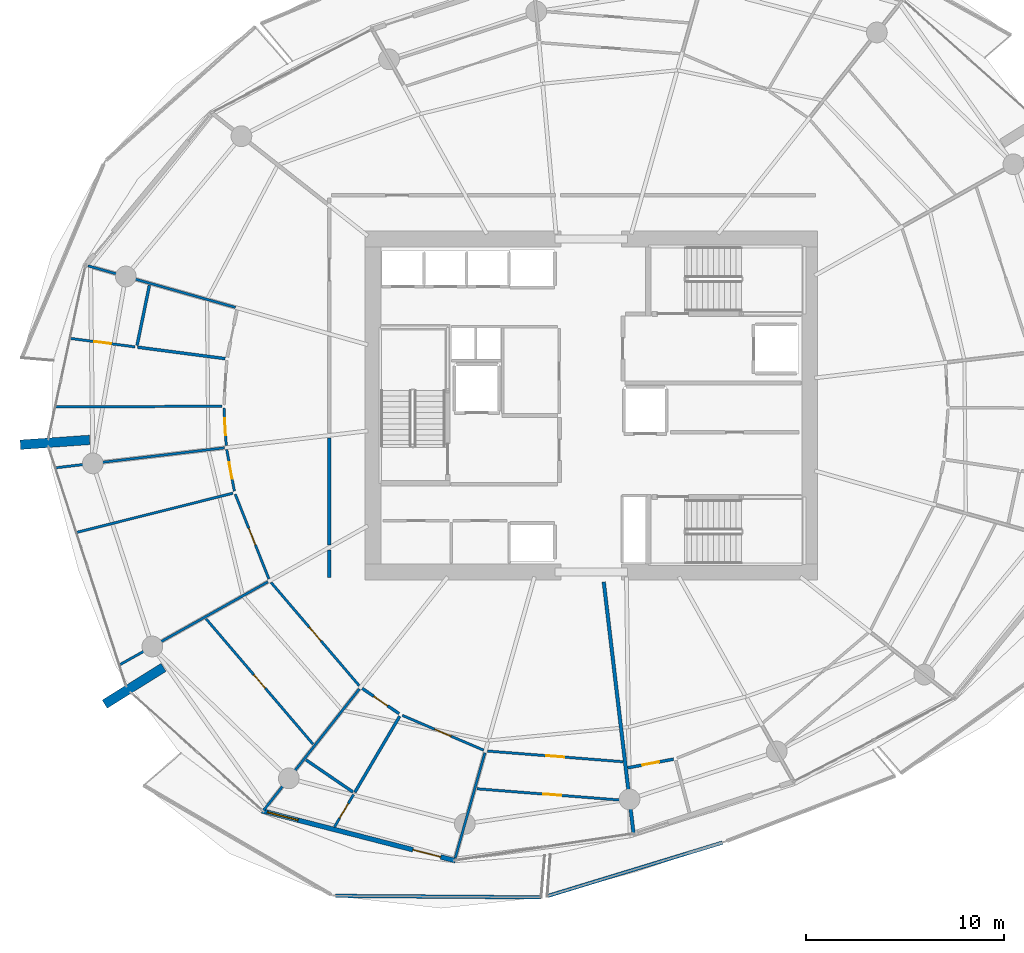
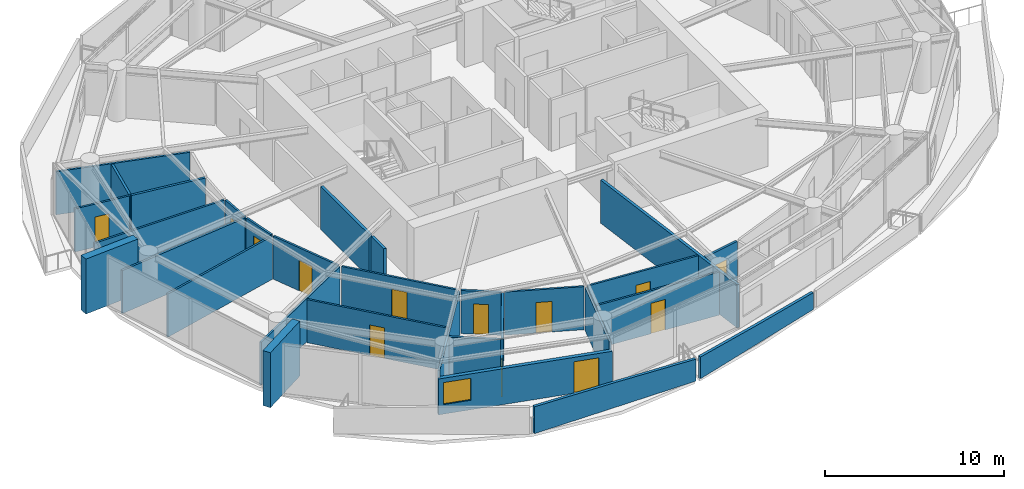
# One storey, part 11 of 20: 31 walls, 13 doors, 1 window, 14 openings.
"""IFC4 building model written with IfcOpenShell, lengths in metres."""

from ifc_helpers import new_model, si_unit, direction, frame, frame_2d, origin, place, context, subcontext, project, spatial, polyline, rectangle, outline, extrude, material, layer, layer_set, type_object, element, fill, save


model = new_model("IFC4")

# Units and contexts
model_context = context("Model", 3, precision=1e-05, world=origin(), true_north=direction((0.0, 1.0)))
body_context = subcontext(model_context, "Body", "Model", "MODEL_VIEW")
ifc_project = project(units=[si_unit("LENGTHUNIT", "METRE"), si_unit("AREAUNIT", "SQUARE_METRE"), si_unit("VOLUMEUNIT", "CUBIC_METRE"), si_unit("PLANEANGLEUNIT", "RADIAN"), si_unit("MASSUNIT", "GRAM", prefix="KILO")], contexts=[model_context])

# Site, building, storey
site_placement = place(None, origin())
site = spatial("IfcSite", under=ifc_project, at=site_placement, CompositionType="ELEMENT")
building_placement = place(site_placement, origin())
building = spatial("IfcBuilding", under=site, at=building_placement, Name="Kazma Halo Residences", CompositionType="ELEMENT")
storey_placement = place(building_placement, frame((0.0, 0.0, 150.300048828125)))
storey = spatial("IfcBuildingStorey", under=building, at=storey_placement, Name="L37", CompositionType="ELEMENT", Elevation=150.300048828125)

# Walls
ifc_material_1 = material(Name="White Concrete C50/60 Balustrade", Category="concrete")
ifc_layer_1 = layer(ifc_material_1, 0.179931640625)
ifc_layer_set_1 = layer_set([ifc_layer_1], Name="White Concrete C50/60 Balustrade")
wall_type_1 = type_object("IfcWallType", Name="WL-BAL-WAVE-180", PredefinedType="PARAPET", material=ifc_layer_set_1)
wall_1_placement = place(storey_placement, frame((35.5068359375, 17.244384765625, 0.0), z_axis=(0.0, 0.0, 1.0), x_axis=(0.999973451482, -0.007286723002, 0.0)))
element("IfcWall", 1, at=wall_1_placement, inside=storey, type_object=wall_type_1, Name="L37 white wave balustrade wall SW.2", PredefinedType="PARAPET", context=body_context, shape_type="SweptSolid", body=[
    extrude(outline(polyline([(0.0, 0.0), (10.386474609375, 0.0), (10.386474609375, 1.4970703125), (5.193115234375, 1.696044921875), (0.0, 1.83203125), (0.0, 0.0)])), frame((0.0, 0.08984375, 0.0), z_axis=(0.0, -1.0, 0.0), x_axis=(1.0, 0.0, 0.0)), (0.0, 0.0, 1.0), 0.179931640625),
])
wall_2_placement = place(storey_placement, frame((46.202880859375, 17.232421875, 0.0), z_axis=(0.0, 0.0, 1.0), x_axis=(0.956413465024, 0.292015896691, 0.0)))
element("IfcWall", 2, at=wall_2_placement, inside=storey, type_object=wall_type_1, Name="L37 white wave balustrade wall SSE.1", PredefinedType="PARAPET", context=body_context, shape_type="SweptSolid", body=[
    extrude(outline(polyline([(0.0, 0.0), (9.244140625, 0.0), (9.244140625, 1.14794921875), (4.6220703125, 1.283935546875), (0.0, 1.48291015625), (0.0, 0.0)])), frame((0.0, 0.08984375, 0.0), z_axis=(0.0, -1.0, 0.0), x_axis=(1.0, 0.0, 0.0)), (0.0, 0.0, 1.0), 0.179931640625),
])
ifc_material_2 = material(Name="Pale Concrete C60/75", Category="concrete")
ifc_layer_2 = layer(ifc_material_2, 0.47998046875)
ifc_layer_set_2 = layer_set([ifc_layer_2], Name="Pale Concrete C60/75")
wall_type_2 = type_object("IfcWallType", Name="WL-BLADE-480", PredefinedType="SOLIDWALL", material=ifc_layer_set_2)
for number, where, z_axis, x_axis, name in (
    (3, (23.10302734375, 40.259033203125, 0.0), (0.0, 0.0, 1.0), (-0.997564163539, -0.069754853754, 0.0), "L37 pale concrete structural blade fin wall BW-02"),
    (4, (26.834716796875, 28.7744140625, 0.0), (0.0, 0.0, 1.0), (-0.848053161125, -0.529911158502, 0.0), "L37 pale concrete structural blade fin wall BW-03"),
):
    element("IfcWall", number, at=place(storey_placement, frame(where, z_axis=z_axis, x_axis=x_axis)), inside=storey, type_object=wall_type_2, Name=name, PredefinedType="SOLIDWALL", context=body_context, shape_type="SweptSolid", body=[
        extrude(rectangle(XDim=3.5, YDim=0.47998046875, at=frame_2d((1.75, 0.0))), origin(), (0.0, 0.0, 1.0), 3.75),
    ])
ifc_material_3 = material(Name="Acoustic Twin-Stud Gypsum")
ifc_layer_3 = layer(ifc_material_3, 0.179931640625)
ifc_layer_set_3 = layer_set([ifc_layer_3], Name="Acoustic Twin-Stud Gypsum")
wall_type_3 = type_object("IfcWallType", Name="WL-DEM-180", PredefinedType="PARTITIONING", material=ifc_layer_set_3)
wall_3_placement = place(storey_placement, frame((49.054443359375, 33.0908203125, 0.0), z_axis=(0.0, 0.0, 1.0), x_axis=(0.117543744731, -0.993067705685, 0.0)))
element("IfcWall", 5, at=wall_3_placement, inside=storey, type_object=wall_type_3, Name="L37 apartment demising radial wall 11", PredefinedType="PARTITIONING", context=body_context, shape_type="SweptSolid", body=[
    extrude(rectangle(XDim=12.76318359375, YDim=0.179931640625, at=frame_2d((6.381591796875, 0.0))), origin(), (0.0, 0.0, 1.0), 2.93994140625),
])
wall_4_placement = place(storey_placement, frame((35.199951171875, 40.364990234375, 0.0), z_axis=(0.0, 0.0, 1.0), x_axis=(0.0, -1.0, 0.0)))
element("IfcWall", 6, at=wall_4_placement, inside=storey, type_object=wall_type_3, Name="L37 Apartment 1 inner wall 7", PredefinedType="PARTITIONING", context=body_context, shape_type="SweptSolid", body=[
    extrude(rectangle(XDim=5.413330078125, YDim=0.179931640625, at=frame_2d((2.70654296875, 0.0))), origin(), (0.0, 0.0, 1.0), 2.93994140625),
])
wall_5_placement = place(storey_placement, frame((35.199951171875, 34.711669921875, 0.0), z_axis=(0.0, 0.0, 1.0), x_axis=(0.0, -1.0, 0.0)))
element("IfcWall", 7, at=wall_5_placement, inside=storey, type_object=wall_type_3, Name="L37 Apartment 1 inner wall 8", PredefinedType="PARTITIONING", context=body_context, shape_type="SweptSolid", body=[
    extrude(rectangle(XDim=1.3916015625, YDim=0.179931640625, at=frame_2d((0.69580078125, 0.0))), origin(), (0.0, 0.0, 1.0), 2.93994140625),
])

# Wall, openings, door, window
ifc_material_4 = material(Name="Insulated Pale-Metal Composite Wall")
ifc_layer_4 = layer(ifc_material_4, 0.239990234375)
ifc_layer_set_4 = layer_set([ifc_layer_4], Name="Insulated Pale-Metal Composite Wall")
wall_type_4 = type_object("IfcWallType", Name="WL-EXT-HOST-240", PredefinedType="SOLIDWALL", material=ifc_layer_set_4)
wall_6_placement = place(storey_placement, frame((31.807861328125, 21.5341796875, 0.0), z_axis=(0.0, 0.0, 1.0), x_axis=(0.968379685126, -0.249481032214, 0.0)))
wall_6 = element("IfcWall", 8, at=wall_6_placement, inside=storey, type_object=wall_type_4, Name="L37 exterior terrace-access wall B10", PredefinedType="SOLIDWALL", context=body_context, shape_type="SweptSolid", body=[
    extrude(rectangle(XDim=10.08154296875, YDim=0.239990234375, at=frame_2d((5.040771484375, 0.0))), origin(), (0.0, 0.0, 1.0), 2.449951171875),
])
opening_1_placement = place(wall_6_placement, frame((7.861572265625, 0.0, 0.0)))
opening_1 = element("IfcOpeningElement", 9, at=opening_1_placement, cuts=wall_6, Name="Opening DTR-1600", PredefinedType="OPENING", context=body_context, shape_type="SweptSolid", body=[
    extrude(rectangle(XDim=1.449951171875, YDim=2.14990234375, at=frame_2d((0.72509765625, 1.074951171875))), frame((0.0, 0.1298828125, 0.0), z_axis=(0.0, -1.0, 0.0), x_axis=(1.0, 0.0, 0.0)), (0.0, 0.0, 1.0), 0.260009765625),
])
opening_2_placement = place(wall_6_placement, frame((0.280029296875, 0.0, 0.64990234375)))
opening_2 = element("IfcOpeningElement", 10, at=opening_2_placement, cuts=wall_6, Name="Opening W-1800", PredefinedType="OPENING", context=body_context, shape_type="SweptSolid", body=[
    extrude(rectangle(XDim=1.60009765625, YDim=1.5, at=frame_2d((0.800048828125, 0.75))), frame((0.0, 0.1298828125, 0.0), z_axis=(0.0, -1.0, 0.0), x_axis=(1.0, 0.0, 0.0)), (0.0, 0.0, 1.0), 0.260009765625),
])
ifc_material_5 = material(Name="Aluminium AW-6063 T6 Double-Glazed Terrace Door", Category="aluminium")
door_type_1 = type_object("IfcDoorType", Name="DR-EXT-TERR-1600", OperationType="NOTDEFINED", PredefinedType="DOOR", material=ifc_material_5)
door_1_placement = place(opening_1_placement, origin())
door_1 = element("IfcDoor", 11, at=door_1_placement, inside=storey, type_object=door_type_1, Name="L37 B10 balcony terrace door", OperationType="DOUBLE_DOOR_SLIDING", OverallHeight=2.14990234375, OverallWidth=1.449951171875, PredefinedType="DOOR", context=body_context, shape_type="SweptSolid", body=[
    extrude(rectangle(XDim=1.449951171875, YDim=2.14990234375, at=frame_2d((0.72509765625, 1.074951171875))), frame((0.0, 0.02490234375, 0.0), z_axis=(0.0, -1.0, 0.0), x_axis=(1.0, 0.0, 0.0)), (0.0, 0.0, 1.0), 0.050048828125),
])
fill(opening_1, door_1)
ifc_material_6 = material(Name="Clear Triple-Silver Low-E Glass in Aluminium AW-6063 T6 Frame", Category="aluminium")
window_type = type_object("IfcWindowType", Name="WIN-RES-1800", PartitioningType="DOUBLE_PANEL_VERTICAL", PredefinedType="WINDOW", material=ifc_material_6)
window_placement = place(opening_2_placement, origin())
window = element("IfcWindow", 12, at=window_placement, inside=storey, type_object=window_type, Name="L37 B10 apartment window", OverallHeight=1.5, OverallWidth=1.60009765625, PartitioningType="SINGLE_PANEL", PredefinedType="WINDOW", context=body_context, shape_type="SweptSolid", body=[
    extrude(rectangle(XDim=1.60009765625, YDim=1.5, at=frame_2d((0.800048828125, 0.75))), frame((0.0, 0.030029296875, 0.0), z_axis=(0.0, -1.0, 0.0), x_axis=(1.0, 0.0, 0.0)), (0.0, 0.0, 1.0), 0.06005859375),
])
fill(opening_2, window)

# Wall
ifc_material_7 = material(Name="Gypsum Plasterboard Partition")
ifc_layer_5 = layer(ifc_material_7, 0.125)
ifc_layer_set_5 = layer_set([ifc_layer_5], Name="Gypsum Plasterboard Partition")
wall_type_5 = type_object("IfcWallType", Name="WL-PART-125", PredefinedType="PARTITIONING", material=ifc_layer_set_5)
wall_7_placement = place(storey_placement, frame((30.465087890625, 46.9453125, 0.0), z_axis=(0.0, 0.0, 1.0), x_axis=(-0.962456021196, 0.271437667363, 0.0)))
element("IfcWall", 13, at=wall_7_placement, inside=storey, type_object=wall_type_5, Name="L37 Apartment 1 radial partition 6", PredefinedType="PARTITIONING", context=body_context, shape_type="SweptSolid", body=[
    extrude(rectangle(XDim=7.732421875, YDim=0.125, at=frame_2d((3.8662109375, 0.0))), origin(), (0.0, 0.0, 1.0), 2.93994140625),
])

# Wall, opening, door
wall_8_placement = place(storey_placement, frame((25.393310546875, 44.955078125, 0.0), z_axis=(0.0, 0.0, 1.0), x_axis=(-0.991560176963, 0.12964727325, 0.0)))
wall_8 = element("IfcWall", 14, at=wall_8_placement, inside=storey, type_object=wall_type_5, Name="L37 Apartment 1 Utility Laundry Room partition wall", PredefinedType="PARTITIONING", context=body_context, shape_type="SweptSolid", body=[
    extrude(rectangle(XDim=3.2861328125, YDim=0.125, at=frame_2d((1.64306640625, 0.0))), origin(), (0.0, 0.0, 1.0), 2.93994140625),
])
opening_3_placement = place(wall_8_placement, frame((1.218017578125, 0.0, 0.0)))
opening_3 = element("IfcOpeningElement", 15, at=opening_3_placement, cuts=wall_8, Name="Opening DB-900", PredefinedType="OPENING", context=body_context, shape_type="SweptSolid", body=[
    extrude(rectangle(XDim=0.85009765625, YDim=2.06005859375, at=frame_2d((0.425048828125, 1.030029296875))), frame((0.0, 0.072509765625, 0.0), z_axis=(0.0, -1.0, 0.0), x_axis=(1.0, 0.0, 0.0)), (0.0, 0.0, 1.0), 0.14501953125),
])
ifc_material_8 = material(Name="Moisture-Sealed Timber Leaf", Category="wood")
door_type_2 = type_object("IfcDoorType", Name="DR-BTH-900", OperationType="NOTDEFINED", PredefinedType="DOOR", material=ifc_material_8)
door_2_placement = place(opening_3_placement, origin())
door_2 = element("IfcDoor", 16, at=door_2_placement, inside=storey, type_object=door_type_2, Name="L37 Apartment 1 Utility Laundry Room door", OperationType="SINGLE_SWING_LEFT", OverallHeight=2.06005859375, OverallWidth=0.85009765625, PredefinedType="DOOR", context=body_context, shape_type="SweptSolid", body=[
    extrude(rectangle(XDim=0.85009765625, YDim=2.06005859375, at=frame_2d((0.425048828125, 1.030029296875))), frame((0.0, 0.02490234375, 0.0), z_axis=(0.0, -1.0, 0.0), x_axis=(1.0, 0.0, 0.0)), (0.0, 0.0, 1.0), 0.050048828125),
])
fill(opening_3, door_2)

# Wall
wall_9_placement = place(storey_placement, frame((29.791015625, 41.952880859375, 0.0), z_axis=(0.0, 0.0, 1.0), x_axis=(-0.999996651439, -0.0025878777, 0.0)))
element("IfcWall", 17, at=wall_9_placement, inside=storey, type_object=wall_type_5, Name="L37 Apartment 1 suite divider 6", PredefinedType="PARTITIONING", context=body_context, shape_type="SweptSolid", body=[
    extrude(rectangle(XDim=8.396240234375, YDim=0.125, at=frame_2d((4.1982421875, 0.0))), origin(), (0.0, 0.0, 1.0), 2.93994140625),
])

# Wall, opening, door
wall_10_placement = place(storey_placement, frame((29.885986328125, 41.873291015625, 0.0), z_axis=(0.0, 0.0, 1.0), x_axis=(0.060058165276, -0.998194879161, 0.0)))
wall_10 = element("IfcWall", 18, at=wall_10_placement, inside=storey, type_object=wall_type_5, Name="L37 Apartment 1 Primary Bedroom hall wall", PredefinedType="PARTITIONING", context=body_context, shape_type="SweptSolid", body=[
    extrude(rectangle(XDim=1.906494140625, YDim=0.125, at=frame_2d((0.953125, 0.0))), origin(), (0.0, 0.0, 1.0), 2.93994140625),
])
opening_4_placement = place(wall_10_placement, frame((0.5283203125, 0.0, 0.0)))
opening_4 = element("IfcOpeningElement", 19, at=opening_4_placement, cuts=wall_10, Name="Opening DB-900", PredefinedType="OPENING", context=body_context, shape_type="SweptSolid", body=[
    extrude(rectangle(XDim=0.85009765625, YDim=2.06005859375, at=frame_2d((0.425048828125, 1.030029296875))), frame((0.0, 0.072509765625, 0.0), z_axis=(0.0, -1.0, 0.0), x_axis=(1.0, 0.0, 0.0)), (0.0, 0.0, 1.0), 0.14501953125),
])
door_3_placement = place(opening_4_placement, origin())
door_3 = element("IfcDoor", 20, at=door_3_placement, inside=storey, type_object=door_type_2, Name="L37 Apartment 1 Primary Bedroom door", OperationType="SINGLE_SWING_LEFT", OverallHeight=2.06005859375, OverallWidth=0.85009765625, PredefinedType="DOOR", context=body_context, shape_type="SweptSolid", body=[
    extrude(rectangle(XDim=0.85009765625, YDim=2.06005859375, at=frame_2d((0.425048828125, 1.030029296875))), frame((0.0, 0.02490234375, 0.0), z_axis=(0.0, -1.0, 0.0), x_axis=(1.0, 0.0, 0.0)), (0.0, 0.0, 1.0), 0.050048828125),
])
fill(opening_4, door_3)

# Walls
wall_11_placement = place(storey_placement, frame((29.9072265625, 39.8583984375, 0.0), z_axis=(0.0, 0.0, 1.0), x_axis=(-0.993070228419, -0.117522429465, 0.0)))
element("IfcWall", 21, at=wall_11_placement, inside=storey, type_object=wall_type_5, Name="L37 Apartment 1 radial partition 7", PredefinedType="PARTITIONING", context=body_context, shape_type="SweptSolid", body=[
    extrude(rectangle(XDim=8.567138671875, YDim=0.125, at=frame_2d((4.28369140625, 0.0))), origin(), (0.0, 0.0, 1.0), 2.93994140625),
])
wall_12_placement = place(storey_placement, frame((30.33837890625, 37.568603515625, 0.0), z_axis=(0.0, 0.0, 1.0), x_axis=(-0.969940631235, -0.243341677236, 0.0)))
element("IfcWall", 22, at=wall_12_placement, inside=storey, type_object=wall_type_5, Name="L37 Apartment 1 mid-bay wall 7", PredefinedType="PARTITIONING", context=body_context, shape_type="SweptSolid", body=[
    extrude(rectangle(XDim=8.12353515625, YDim=0.125, at=frame_2d((4.061767578125, 0.0))), origin(), (0.0, 0.0, 1.0), 2.93994140625),
])

# Wall, opening, door
wall_13_placement = place(storey_placement, frame((30.024658203125, 39.77197265625, 0.0), z_axis=(0.0, 0.0, 1.0), x_axis=(0.180764237825, -0.983526456341, 0.0)))
wall_13 = element("IfcWall", 23, at=wall_13_placement, inside=storey, type_object=wall_type_5, Name="L37 Apartment 1 East Bedroom hall wall", PredefinedType="PARTITIONING", context=body_context, shape_type="SweptSolid", body=[
    extrude(rectangle(XDim=2.137939453125, YDim=0.125, at=frame_2d((1.06884765625, 0.0))), origin(), (0.0, 0.0, 1.0), 2.93994140625),
])
opening_5_placement = place(wall_13_placement, frame((0.64404296875, 0.0, 0.0)))
opening_5 = element("IfcOpeningElement", 24, at=opening_5_placement, cuts=wall_13, Name="Opening DB-900", PredefinedType="OPENING", context=body_context, shape_type="SweptSolid", body=[
    extrude(rectangle(XDim=0.85009765625, YDim=2.06005859375, at=frame_2d((0.425048828125, 1.030029296875))), frame((0.0, 0.072509765625, 0.0), z_axis=(0.0, -1.0, 0.0), x_axis=(1.0, 0.0, 0.0)), (0.0, 0.0, 1.0), 0.14501953125),
])
door_4_placement = place(opening_5_placement, origin())
door_4 = element("IfcDoor", 25, at=door_4_placement, inside=storey, type_object=door_type_2, Name="L37 Apartment 1 East Bedroom door", OperationType="SINGLE_SWING_LEFT", OverallHeight=2.06005859375, OverallWidth=0.85009765625, PredefinedType="DOOR", context=body_context, shape_type="SweptSolid", body=[
    extrude(rectangle(XDim=0.85009765625, YDim=2.06005859375, at=frame_2d((0.425048828125, 1.030029296875))), frame((0.0, 0.02490234375, 0.0), z_axis=(0.0, -1.0, 0.0), x_axis=(1.0, 0.0, 0.0)), (0.0, 0.0, 1.0), 0.050048828125),
])
fill(opening_5, door_4)

wall_14_placement = place(storey_placement, frame((30.455078125, 37.51611328125, 0.0), z_axis=(0.0, 0.0, 1.0), x_axis=(0.369249273076, -0.929330390299, 0.0)))
wall_14 = element("IfcWall", 26, at=wall_14_placement, inside=storey, type_object=wall_type_5, Name="L37 Apartment 1 West Master Bedroom hall wall", PredefinedType="PARTITIONING", context=body_context, shape_type="SweptSolid", body=[
    extrude(rectangle(XDim=4.601806640625, YDim=0.125, at=frame_2d((2.30078125, 0.0))), origin(), (0.0, 0.0, 1.0), 2.93994140625),
])
opening_6_placement = place(wall_14_placement, frame((1.850830078125, 0.0, 0.0)))
opening_6 = element("IfcOpeningElement", 27, at=opening_6_placement, cuts=wall_14, Name="Opening DI-950", PredefinedType="OPENING", context=body_context, shape_type="SweptSolid", body=[
    extrude(rectangle(XDim=0.89990234375, YDim=2.080078125, at=frame_2d((0.449951171875, 1.0400390625))), frame((0.0, 0.072509765625, 0.0), z_axis=(0.0, -1.0, 0.0), x_axis=(1.0, 0.0, 0.0)), (0.0, 0.0, 1.0), 0.14501953125),
])
ifc_material_9 = material(Name="Timber Veneer Flush Leaf", Category="wood")
door_type_3 = type_object("IfcDoorType", Name="DR-INT-950", OperationType="NOTDEFINED", PredefinedType="DOOR", material=ifc_material_9)
door_5_placement = place(opening_6_placement, origin())
door_5 = element("IfcDoor", 28, at=door_5_placement, inside=storey, type_object=door_type_3, Name="L37 Apartment 1 West Master Bedroom door", OperationType="SINGLE_SWING_RIGHT", OverallHeight=2.080078125, OverallWidth=0.89990234375, PredefinedType="DOOR", context=body_context, shape_type="SweptSolid", body=[
    extrude(rectangle(XDim=0.89990234375, YDim=2.080078125, at=frame_2d((0.449951171875, 1.0400390625))), frame((0.0, 0.02490234375, 0.0), z_axis=(0.0, -1.0, 0.0), x_axis=(1.0, 0.0, 0.0)), (0.0, 0.0, 1.0), 0.050048828125),
])
fill(opening_6, door_5)

# Wall
wall_15_placement = place(storey_placement, frame((32.10400390625, 33.097900390625, 0.0), z_axis=(0.0, 0.0, 1.0), x_axis=(-0.872488035617, -0.488635475283, 0.0)))
element("IfcWall", 29, at=wall_15_placement, inside=storey, type_object=wall_type_5, Name="L37 Apartment 1 radial partition 8", PredefinedType="PARTITIONING", context=body_context, shape_type="SweptSolid", body=[
    extrude(rectangle(XDim=8.5673828125, YDim=0.125, at=frame_2d((4.28369140625, 0.0))), origin(), (0.0, 0.0, 1.0), 2.93994140625),
])

# Wall, opening, door
wall_16_placement = place(storey_placement, frame((32.2626953125, 33.06298828125, 0.0), z_axis=(0.0, 0.0, 1.0), x_axis=(0.649448927448, -0.760405214762, 0.0)))
wall_16 = element("IfcWall", 30, at=wall_16_placement, inside=storey, type_object=wall_type_5, Name="L37 Apartment 1 North Study hall wall", PredefinedType="PARTITIONING", context=body_context, shape_type="SweptSolid", body=[
    extrude(rectangle(XDim=6.849609375, YDim=0.125, at=frame_2d((3.4248046875, 0.0))), origin(), (0.0, 0.0, 1.0), 2.93994140625),
])
opening_7_placement = place(wall_16_placement, frame((2.974853515625, 0.0, 0.0)))
opening_7 = element("IfcOpeningElement", 31, at=opening_7_placement, cuts=wall_16, Name="Opening DI-950", PredefinedType="OPENING", context=body_context, shape_type="SweptSolid", body=[
    extrude(rectangle(XDim=0.89990234375, YDim=2.080078125, at=frame_2d((0.449951171875, 1.0400390625))), frame((0.0, 0.072509765625, 0.0), z_axis=(0.0, -1.0, 0.0), x_axis=(1.0, 0.0, 0.0)), (0.0, 0.0, 1.0), 0.14501953125),
])
door_6_placement = place(opening_7_placement, origin())
door_6 = element("IfcDoor", 32, at=door_6_placement, inside=storey, type_object=door_type_3, Name="L37 Apartment 1 North Study door", OperationType="SINGLE_SWING_RIGHT", OverallHeight=2.080078125, OverallWidth=0.89990234375, PredefinedType="DOOR", context=body_context, shape_type="SweptSolid", body=[
    extrude(rectangle(XDim=0.89990234375, YDim=2.080078125, at=frame_2d((0.449951171875, 1.0400390625))), frame((0.0, 0.02490234375, 0.0), z_axis=(0.0, -1.0, 0.0), x_axis=(1.0, 0.0, 0.0)), (0.0, 0.0, 1.0), 0.050048828125),
])
fill(opening_7, door_6)

wall_17_placement = place(storey_placement, frame((28.982177734375, 31.225830078125, 0.0), z_axis=(0.0, 0.0, 1.0), x_axis=(0.649429273824, -0.760422000142, 0.0)))
wall_17 = element("IfcWall", 33, at=wall_17_placement, inside=storey, type_object=wall_type_5, Name="L37 Apartment 1 South Master Bedroom divider wall", PredefinedType="PARTITIONING", context=body_context, shape_type="SweptSolid", body=[
    extrude(rectangle(XDim=8.316650390625, YDim=0.125, at=frame_2d((4.158203125, 0.0))), origin(), (0.0, 0.0, 1.0), 2.93994140625),
])
opening_8_placement = place(wall_17_placement, frame((3.70849609375, 0.0, 0.0)))
opening_8 = element("IfcOpeningElement", 34, at=opening_8_placement, cuts=wall_17, Name="Opening DI-950", PredefinedType="OPENING", context=body_context, shape_type="SweptSolid", body=[
    extrude(rectangle(XDim=0.89990234375, YDim=2.080078125, at=frame_2d((0.449951171875, 1.0400390625))), frame((0.0, 0.072509765625, 0.0), z_axis=(0.0, -1.0, 0.0), x_axis=(1.0, 0.0, 0.0)), (0.0, 0.0, 1.0), 0.14501953125),
])
door_7_placement = place(opening_8_placement, origin())
door_7 = element("IfcDoor", 35, at=door_7_placement, inside=storey, type_object=door_type_3, Name="L37 Apartment 1 South Master Bedroom door", OperationType="SINGLE_SWING_LEFT", OverallHeight=2.080078125, OverallWidth=0.89990234375, PredefinedType="DOOR", context=body_context, shape_type="SweptSolid", body=[
    extrude(rectangle(XDim=0.89990234375, YDim=2.080078125, at=frame_2d((0.449951171875, 1.0400390625))), frame((0.0, 0.02490234375, 0.0), z_axis=(0.0, -1.0, 0.0), x_axis=(1.0, 0.0, 0.0)), (0.0, 0.0, 1.0), 0.050048828125),
])
fill(opening_8, door_7)

# Wall
wall_18_placement = place(storey_placement, frame((36.720703125, 27.6923828125, 0.0), z_axis=(0.0, 0.0, 1.0), x_axis=(-0.619091325953, -0.785318998962, 0.0)))
element("IfcWall", 36, at=wall_18_placement, inside=storey, type_object=wall_type_5, Name="L37 Apartment 1 radial partition 9", PredefinedType="PARTITIONING", context=body_context, shape_type="SweptSolid", body=[
    extrude(rectangle(XDim=7.832763671875, YDim=0.125, at=frame_2d((3.91650390625, 0.0))), origin(), (0.0, 0.0, 1.0), 2.93994140625),
])

# Wall, opening, door
wall_19_placement = place(storey_placement, frame((36.42529296875, 22.35791015625, 0.0), z_axis=(0.0, 0.0, 1.0), x_axis=(-0.507653216709, -0.861561496102, 0.0)))
wall_19 = element("IfcWall", 37, at=wall_19_placement, inside=storey, type_object=wall_type_5, Name="L37 Apartment 1 Outer Walk-In Wardrobe partition wall", PredefinedType="PARTITIONING", context=body_context, shape_type="SweptSolid", body=[
    extrude(rectangle(XDim=1.904052734375, YDim=0.125, at=frame_2d((0.9521484375, 0.0))), origin(), (0.0, 0.0, 1.0), 2.93994140625),
])
opening_9_placement = place(wall_19_placement, frame((0.52685546875, 0.0, 0.0)))
opening_9 = element("IfcOpeningElement", 38, at=opening_9_placement, cuts=wall_19, Name="Opening DB-900", PredefinedType="OPENING", context=body_context, shape_type="SweptSolid", body=[
    extrude(rectangle(XDim=0.85009765625, YDim=2.06005859375, at=frame_2d((0.425048828125, 1.030029296875))), frame((0.0, 0.072509765625, 0.0), z_axis=(0.0, -1.0, 0.0), x_axis=(1.0, 0.0, 0.0)), (0.0, 0.0, 1.0), 0.14501953125),
])
door_8_placement = place(opening_9_placement, origin())
door_8 = element("IfcDoor", 39, at=door_8_placement, inside=storey, type_object=door_type_2, Name="L37 Apartment 1 Outer Walk-In Wardrobe door", OperationType="SINGLE_SWING_RIGHT", OverallHeight=2.06005859375, OverallWidth=0.85009765625, PredefinedType="DOOR", context=body_context, shape_type="SweptSolid", body=[
    extrude(rectangle(XDim=0.85009765625, YDim=2.06005859375, at=frame_2d((0.425048828125, 1.030029296875))), frame((0.0, 0.02490234375, 0.0), z_axis=(0.0, -1.0, 0.0), x_axis=(1.0, 0.0, 0.0)), (0.0, 0.0, 1.0), 0.050048828125),
])
fill(opening_9, door_8)

wall_20_placement = place(storey_placement, frame((38.884033203125, 26.354248046875, 0.0), z_axis=(0.0, 0.0, 1.0), x_axis=(0.919625189591, -0.392797034955, 0.0)))
wall_20 = element("IfcWall", 40, at=wall_20_placement, inside=storey, type_object=wall_type_5, Name="L37 Apartment 1 Corner Master Bedroom hall wall", PredefinedType="PARTITIONING", context=body_context, shape_type="SweptSolid", body=[
    extrude(rectangle(XDim=4.464599609375, YDim=0.125, at=frame_2d((2.232421875, 0.0))), origin(), (0.0, 0.0, 1.0), 2.93994140625),
])
opening_10_placement = place(wall_20_placement, frame((1.7822265625, 0.0, 0.0)))
opening_10 = element("IfcOpeningElement", 41, at=opening_10_placement, cuts=wall_20, Name="Opening DI-950", PredefinedType="OPENING", context=body_context, shape_type="SweptSolid", body=[
    extrude(rectangle(XDim=0.89990234375, YDim=2.080078125, at=frame_2d((0.449951171875, 1.0400390625))), frame((0.0, 0.072509765625, 0.0), z_axis=(0.0, -1.0, 0.0), x_axis=(1.0, 0.0, 0.0)), (0.0, 0.0, 1.0), 0.14501953125),
])
door_9_placement = place(opening_10_placement, origin())
door_9 = element("IfcDoor", 42, at=door_9_placement, inside=storey, type_object=door_type_3, Name="L37 Apartment 1 Corner Master Bedroom door", OperationType="SINGLE_SWING_LEFT", OverallHeight=2.080078125, OverallWidth=0.89990234375, PredefinedType="DOOR", context=body_context, shape_type="SweptSolid", body=[
    extrude(rectangle(XDim=0.89990234375, YDim=2.080078125, at=frame_2d((0.449951171875, 1.0400390625))), frame((0.0, 0.02490234375, 0.0), z_axis=(0.0, -1.0, 0.0), x_axis=(1.0, 0.0, 0.0)), (0.0, 0.0, 1.0), 0.050048828125),
])
fill(opening_10, door_9)

# Wall
wall_21_placement = place(storey_placement, frame((43.0546875, 24.465087890625, 0.0), z_axis=(0.0, 0.0, 1.0), x_axis=(-0.271448610669, -0.962452934831, 0.0)))
element("IfcWall", 43, at=wall_21_placement, inside=storey, type_object=wall_type_5, Name="L37 Apartment 1 radial partition 10", PredefinedType="PARTITIONING", context=body_context, shape_type="SweptSolid", body=[
    extrude(rectangle(XDim=5.5205078125, YDim=0.125, at=frame_2d((2.76025390625, 0.0))), origin(), (0.0, 0.0, 1.0), 2.93994140625),
])

# Wall, opening, door
wall_22_placement = place(storey_placement, frame((43.19140625, 24.552734375, 0.0), z_axis=(0.0, 0.0, 1.0), x_axis=(0.996915344956, -0.078484361444, 0.0)))
wall_22 = element("IfcWall", 44, at=wall_22_placement, inside=storey, type_object=wall_type_5, Name="L37 Apartment 1 Garden Study hall wall", PredefinedType="PARTITIONING", context=body_context, shape_type="SweptSolid", body=[
    extrude(rectangle(XDim=6.849853515625, YDim=0.125, at=frame_2d((3.4248046875, 0.0))), origin(), (0.0, 0.0, 1.0), 2.93994140625),
])
opening_11_placement = place(wall_22_placement, frame((2.974853515625, 0.0, 0.0)))
opening_11 = element("IfcOpeningElement", 45, at=opening_11_placement, cuts=wall_22, Name="Opening DI-950", PredefinedType="OPENING", context=body_context, shape_type="SweptSolid", body=[
    extrude(rectangle(XDim=0.89990234375, YDim=2.080078125, at=frame_2d((0.449951171875, 1.0400390625))), frame((0.0, 0.072509765625, 0.0), z_axis=(0.0, -1.0, 0.0), x_axis=(1.0, 0.0, 0.0)), (0.0, 0.0, 1.0), 0.14501953125),
])
door_10_placement = place(opening_11_placement, origin())
door_10 = element("IfcDoor", 46, at=door_10_placement, inside=storey, type_object=door_type_3, Name="L37 Apartment 1 Garden Study door", OperationType="SINGLE_SWING_RIGHT", OverallHeight=2.080078125, OverallWidth=0.89990234375, PredefinedType="DOOR", context=body_context, shape_type="SweptSolid", body=[
    extrude(rectangle(XDim=0.89990234375, YDim=2.080078125, at=frame_2d((0.449951171875, 1.0400390625))), frame((0.0, 0.02490234375, 0.0), z_axis=(0.0, -1.0, 0.0), x_axis=(1.0, 0.0, 0.0)), (0.0, 0.0, 1.0), 0.050048828125),
])
fill(opening_11, door_10)

wall_23_placement = place(storey_placement, frame((42.654541015625, 22.64892578125, 0.0), z_axis=(0.0, 0.0, 1.0), x_axis=(0.996915518975, -0.078482151007, 0.0)))
wall_23 = element("IfcWall", 47, at=wall_23_placement, inside=storey, type_object=wall_type_5, Name="L37 Apartment 1 Sky Bedroom divider wall", PredefinedType="PARTITIONING", context=body_context, shape_type="SweptSolid", body=[
    extrude(rectangle(XDim=7.621337890625, YDim=0.125, at=frame_2d((3.810546875, 0.0))), origin(), (0.0, 0.0, 1.0), 2.93994140625),
])
opening_12_placement = place(wall_23_placement, frame((3.360595703125, 0.0, 0.0)))
opening_12 = element("IfcOpeningElement", 48, at=opening_12_placement, cuts=wall_23, Name="Opening DI-950", PredefinedType="OPENING", context=body_context, shape_type="SweptSolid", body=[
    extrude(rectangle(XDim=0.89990234375, YDim=2.080078125, at=frame_2d((0.449951171875, 1.0400390625))), frame((0.0, 0.072509765625, 0.0), z_axis=(0.0, -1.0, 0.0), x_axis=(1.0, 0.0, 0.0)), (0.0, 0.0, 1.0), 0.14501953125),
])
door_11_placement = place(opening_12_placement, origin())
door_11 = element("IfcDoor", 49, at=door_11_placement, inside=storey, type_object=door_type_3, Name="L37 Apartment 1 Sky Bedroom door", OperationType="SINGLE_SWING_LEFT", OverallHeight=2.080078125, OverallWidth=0.89990234375, PredefinedType="DOOR", context=body_context, shape_type="SweptSolid", body=[
    extrude(rectangle(XDim=0.89990234375, YDim=2.080078125, at=frame_2d((0.449951171875, 1.0400390625))), frame((0.0, 0.02490234375, 0.0), z_axis=(0.0, -1.0, 0.0), x_axis=(1.0, 0.0, 0.0)), (0.0, 0.0, 1.0), 0.050048828125),
])
fill(opening_12, door_11)

# Walls
ifc_material_10 = material(Name="Moisture-Resistant Gypsum")
ifc_layer_6 = layer(ifc_material_10, 0.14990234375)
ifc_layer_set_6 = layer_set([ifc_layer_6], Name="Moisture-Resistant Gypsum")
wall_type_6 = type_object("IfcWallType", Name="WL-WET-150", PredefinedType="PARTITIONING", material=ifc_layer_set_6)
wall_24_placement = place(storey_placement, frame((26.12353515625, 48.066162109375, 0.0), z_axis=(0.0, 0.0, 1.0), x_axis=(-0.201054681034, -0.979580019822, 0.0)))
element("IfcWall", 50, at=wall_24_placement, inside=storey, type_object=wall_type_6, Name="L37 Apartment 1 Guest Bathroom back wall", PredefinedType="PARTITIONING", context=body_context, shape_type="SweptSolid", body=[
    extrude(rectangle(XDim=3.09765625, YDim=0.14990234375, at=frame_2d((1.548828125, 0.0))), origin(), (0.0, 0.0, 1.0), 2.93994140625),
])
wall_25_placement = place(storey_placement, frame((29.944580078125, 44.360107421875, 0.0), z_axis=(0.0, 0.0, 1.0), x_axis=(-0.991563130501, 0.129624682181, 0.0)))
element("IfcWall", 51, at=wall_25_placement, inside=storey, type_object=wall_type_6, Name="L37 Apartment 1 Guest Bathroom side wall", PredefinedType="PARTITIONING", context=body_context, shape_type="SweptSolid", body=[
    extrude(rectangle(XDim=4.4599609375, YDim=0.14990234375, at=frame_2d((2.22998046875, 0.0))), origin(), (0.0, 0.0, 1.0), 2.93994140625),
])

# Wall, opening, door
wall_26_placement = place(storey_placement, frame((36.864990234375, 27.71435546875, 0.0), z_axis=(0.0, 0.0, 1.0), x_axis=(0.825296643152, -0.564699434037, 0.0)))
wall_26 = element("IfcWall", 52, at=wall_26_placement, inside=storey, type_object=wall_type_6, Name="L37 Apartment 1 Inner En-Suite Bathroom hall wall", PredefinedType="PARTITIONING", context=body_context, shape_type="SweptSolid", body=[
    extrude(rectangle(XDim=2.255859375, YDim=0.14990234375, at=frame_2d((1.1279296875, 0.0))), origin(), (0.0, 0.0, 1.0), 2.93994140625),
])
opening_13_placement = place(wall_26_placement, frame((0.702880859375, 0.0, 0.0)))
opening_13 = element("IfcOpeningElement", 53, at=opening_13_placement, cuts=wall_26, Name="Opening DB-900", PredefinedType="OPENING", context=body_context, shape_type="SweptSolid", body=[
    extrude(rectangle(XDim=0.85009765625, YDim=2.06005859375, at=frame_2d((0.425048828125, 1.030029296875))), frame((0.0, 0.0849609375, 0.0), z_axis=(0.0, -1.0, 0.0), x_axis=(1.0, 0.0, 0.0)), (0.0, 0.0, 1.0), 0.169921875),
])
door_12_placement = place(opening_13_placement, origin())
door_12 = element("IfcDoor", 54, at=door_12_placement, inside=storey, type_object=door_type_2, Name="L37 Apartment 1 Inner En-Suite Bathroom door", OperationType="SINGLE_SWING_LEFT", OverallHeight=2.06005859375, OverallWidth=0.85009765625, PredefinedType="DOOR", context=body_context, shape_type="SweptSolid", body=[
    extrude(rectangle(XDim=0.85009765625, YDim=2.06005859375, at=frame_2d((0.425048828125, 1.030029296875))), frame((0.0, 0.02490234375, 0.0), z_axis=(0.0, -1.0, 0.0), x_axis=(1.0, 0.0, 0.0)), (0.0, 0.0, 1.0), 0.050048828125),
])
fill(opening_13, door_12)

# Walls
wall_27_placement = place(storey_placement, frame((34.0234375, 24.109619140625, 0.0), z_axis=(0.0, 0.0, 1.0), x_axis=(0.825328087742, -0.564653475667, 0.0)))
element("IfcWall", 55, at=wall_27_placement, inside=storey, type_object=wall_type_6, Name="L37 Apartment 1 Inner En-Suite Bathroom back wall", PredefinedType="PARTITIONING", context=body_context, shape_type="SweptSolid", body=[
    extrude(rectangle(XDim=2.875244140625, YDim=0.14990234375, at=frame_2d((1.4375, 0.0))), origin(), (0.0, 0.0, 1.0), 2.93994140625),
])
wall_28_placement = place(storey_placement, frame((38.755615234375, 26.312255859375, 0.0), z_axis=(0.0, 0.0, 1.0), x_axis=(-0.507701739566, -0.8615329034, 0.0)))
element("IfcWall", 56, at=wall_28_placement, inside=storey, type_object=wall_type_6, Name="L37 Apartment 1 Inner En-Suite Bathroom side wall", PredefinedType="PARTITIONING", context=body_context, shape_type="SweptSolid", body=[
    extrude(rectangle(XDim=4.460205078125, YDim=0.14990234375, at=frame_2d((2.22998046875, 0.0))), origin(), (0.0, 0.0, 1.0), 2.93994140625),
])

# Wall, opening, door
wall_29_placement = place(storey_placement, frame((50.265625, 23.70751953125, 0.0), z_axis=(0.0, 0.0, 1.0), x_axis=(0.982578938246, 0.18584571589, 0.0)))
wall_29 = element("IfcWall", 57, at=wall_29_placement, inside=storey, type_object=wall_type_6, Name="L37 Apartment 2 Guest Bathroom hall wall", PredefinedType="PARTITIONING", context=body_context, shape_type="SweptSolid", body=[
    extrude(rectangle(XDim=2.356689453125, YDim=0.14990234375, at=frame_2d((1.17822265625, 0.0))), origin(), (0.0, 0.0, 1.0), 2.93994140625),
])
opening_14_placement = place(wall_29_placement, frame((0.75341796875, 0.0, 0.0)))
opening_14 = element("IfcOpeningElement", 58, at=opening_14_placement, cuts=wall_29, Name="Opening DB-900", PredefinedType="OPENING", context=body_context, shape_type="SweptSolid", body=[
    extrude(rectangle(XDim=0.85009765625, YDim=2.06005859375, at=frame_2d((0.425048828125, 1.030029296875))), frame((0.0, 0.0849609375, 0.0), z_axis=(0.0, -1.0, 0.0), x_axis=(1.0, 0.0, 0.0)), (0.0, 0.0, 1.0), 0.169921875),
])
door_13_placement = place(opening_14_placement, origin())
door_13 = element("IfcDoor", 59, at=door_13_placement, inside=storey, type_object=door_type_2, Name="L37 Apartment 2 Guest Bathroom door", OperationType="SINGLE_SWING_LEFT", OverallHeight=2.06005859375, OverallWidth=0.85009765625, PredefinedType="DOOR", context=body_context, shape_type="SweptSolid", body=[
    extrude(rectangle(XDim=0.85009765625, YDim=2.06005859375, at=frame_2d((0.425048828125, 1.030029296875))), frame((0.0, 0.02490234375, 0.0), z_axis=(0.0, -1.0, 0.0), x_axis=(1.0, 0.0, 0.0)), (0.0, 0.0, 1.0), 0.050048828125),
])
fill(opening_14, door_13)

save(model, "model.ifc")
